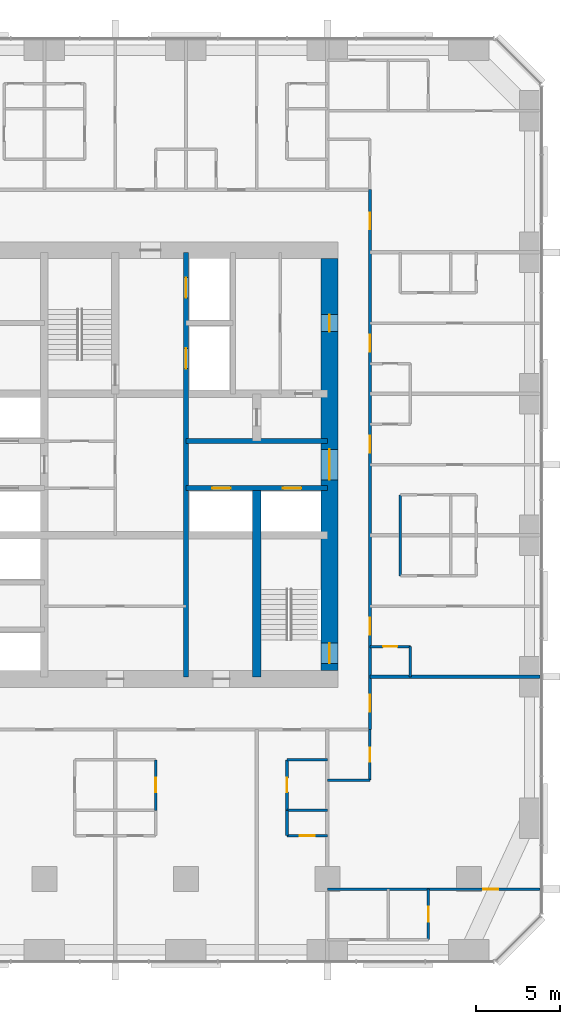
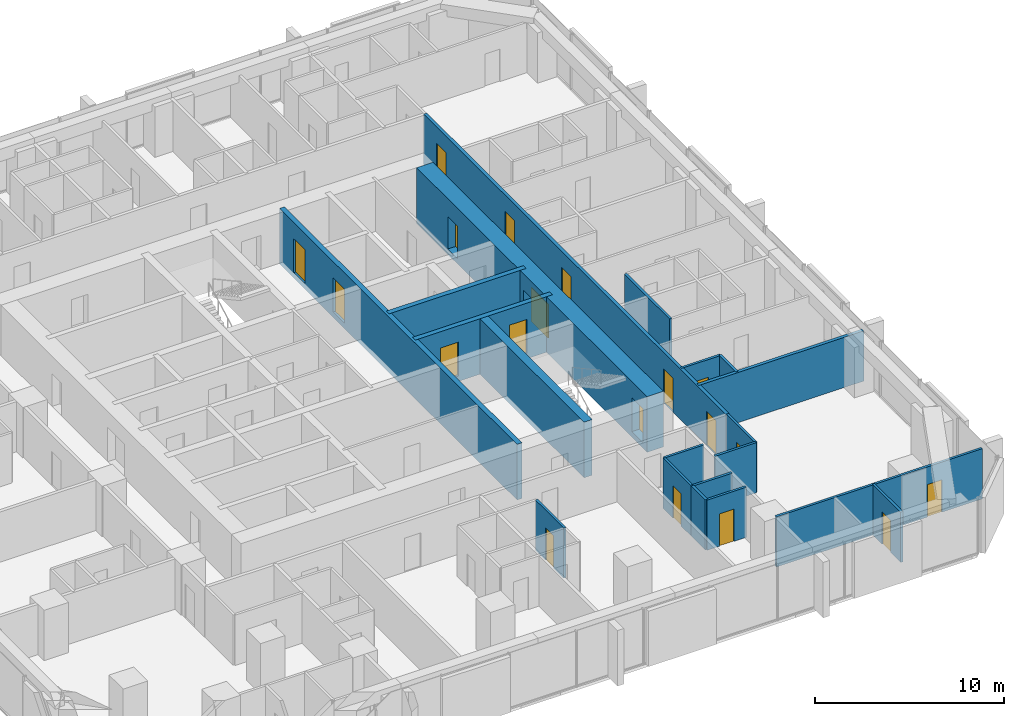
# One storey, part 10 of 14: 20 walls, 19 doors, 19 openings.
"""IFC4 building model written with IfcOpenShell, lengths in metres."""

from ifc_helpers import new_model, si_unit, direction, frame, frame_2d, origin, place, context, subcontext, project, spatial, rectangle, extrude, material, layer, layer_set, type_object, element, fill, save


model = new_model("IFC4")

# Units and contexts
model_context = context("Model", 3, precision=1e-05, world=origin(), true_north=direction((0.0, 1.0)))
body_context = subcontext(model_context, "Body", "Model", "MODEL_VIEW")
ifc_project = project(units=[si_unit("LENGTHUNIT", "METRE"), si_unit("AREAUNIT", "SQUARE_METRE"), si_unit("VOLUMEUNIT", "CUBIC_METRE"), si_unit("PLANEANGLEUNIT", "RADIAN"), si_unit("MASSUNIT", "GRAM", prefix="KILO")], contexts=[model_context])

# Site, building, storey
site_placement = place(None, origin())
site = spatial("IfcSite", under=ifc_project, at=site_placement, CompositionType="ELEMENT")
building_placement = place(site_placement, origin())
building = spatial("IfcBuilding", under=site, at=building_placement, Name="Dunama Terrace Hotel", CompositionType="ELEMENT")
storey_placement = place(building_placement, frame((0.0, 0.0, 126.0)))
storey = spatial("IfcBuildingStorey", under=building, at=storey_placement, Name="L32", CompositionType="ELEMENT", Elevation=126.0)

# Wall, opening, door
ifc_material_1 = material(Name="Gypsum board partition", Category="masonry")
ifc_layer_1 = layer(ifc_material_1, 0.14990234375)
ifc_layer_set_1 = layer_set([ifc_layer_1], Name="Bathroom partition 150")
wall_type_1 = type_object("IfcWallType", Name="Bathroom partition 150", PredefinedType="PARTITIONING", material=ifc_layer_set_1)
wall_1_placement = place(storey_placement, frame((31.800048828125, 8.875, 0.0), z_axis=(0.0, 0.0, 1.0), x_axis=(0.0, 1.0, 0.0)))
wall_1 = element("IfcWall", 1, at=wall_1_placement, inside=storey, type_object=wall_type_1, Name="Bathroom partition 150 L32", PredefinedType="PARTITIONING", context=body_context, shape_type="SweptSolid", body=[
    extrude(rectangle(XDim=3.0, YDim=0.14990234375, at=frame_2d((1.5, 0.0))), origin(), (0.0, 0.0, 1.0), 3.25),
])
opening_1_placement = place(wall_1_placement, frame((1.074951171875, 0.0, 0.0)))
opening_1 = element("IfcOpeningElement", 2, at=opening_1_placement, cuts=wall_1, Name="Opening L31-33-018", PredefinedType="OPENING", context=body_context, shape_type="SweptSolid", body=[
    extrude(rectangle(XDim=0.85009765625, YDim=2.10009765625, at=frame_2d((0.425048828125, 1.050048828125))), frame((0.0, 0.0849609375, 0.0), z_axis=(0.0, -1.0, 0.0), x_axis=(1.0, 0.0, 0.0)), (0.0, 0.0, 1.0), 0.169921875),
])
ifc_material_2 = material(Name="Timber door with steel frame", Category="steel")
door_type_1 = type_object("IfcDoorType", Name="Bathroom door 850", OperationType="SINGLE_SWING_LEFT", PredefinedType="DOOR", material=ifc_material_2)
door_1_placement = place(opening_1_placement, origin())
door_1 = element("IfcDoor", 3, at=door_1_placement, inside=storey, type_object=door_type_1, Name="Door to en-suite bathroom L31-33-018, type D2", OperationType="SINGLE_SWING_LEFT", OverallHeight=2.10009765625, OverallWidth=0.85009765625, PredefinedType="DOOR", context=body_context, shape_type="SweptSolid", body=[
    extrude(rectangle(XDim=0.85009765625, YDim=2.10009765625, at=frame_2d((0.425048828125, 1.050048828125))), frame((0.0, 0.02490234375, 0.0), z_axis=(0.0, -1.0, 0.0), x_axis=(1.0, 0.0, 0.0)), (0.0, 0.0, 1.0), 0.050048828125),
])
fill(opening_1, door_1)

wall_2_placement = place(storey_placement, frame((39.60009765625, 8.875, 0.0), z_axis=(0.0, 0.0, 1.0), x_axis=(0.0, 1.0, 0.0)))
wall_2 = element("IfcWall", 4, at=wall_2_placement, inside=storey, type_object=wall_type_1, Name="Bathroom partition 150 L32", PredefinedType="PARTITIONING", context=body_context, shape_type="SweptSolid", body=[
    extrude(rectangle(XDim=3.0, YDim=0.14990234375, at=frame_2d((1.5, 0.0))), origin(), (0.0, 0.0, 1.0), 3.25),
])
opening_2_placement = place(wall_2_placement, frame((1.074951171875, 0.0, 0.0)))
opening_2 = element("IfcOpeningElement", 5, at=opening_2_placement, cuts=wall_2, Name="Opening L31-33-021", PredefinedType="OPENING", context=body_context, shape_type="SweptSolid", body=[
    extrude(rectangle(XDim=0.85009765625, YDim=2.10009765625, at=frame_2d((0.425048828125, 1.050048828125))), frame((0.0, 0.0849609375, 0.0), z_axis=(0.0, -1.0, 0.0), x_axis=(1.0, 0.0, 0.0)), (0.0, 0.0, 1.0), 0.169921875),
])
door_2_placement = place(opening_2_placement, frame((0.85009765625, 0.0, 0.0), z_axis=(0.0, 0.0, 1.0), x_axis=(-1.0, 0.0, 0.0)))
door_2 = element("IfcDoor", 6, at=door_2_placement, inside=storey, type_object=door_type_1, Name="Door to en-suite bathroom L31-33-021, type D2", OperationType="SINGLE_SWING_RIGHT", OverallHeight=2.10009765625, OverallWidth=0.85009765625, PredefinedType="DOOR", context=body_context, shape_type="SweptSolid", body=[
    extrude(rectangle(XDim=0.85009765625, YDim=2.10009765625, at=frame_2d((0.425048828125, 1.050048828125))), frame((0.0, 0.025146484375, 0.0), z_axis=(0.0, -1.0, 0.0), x_axis=(1.0, 0.0, 0.0)), (0.0, 0.0, 1.0), 0.050048828125),
])
fill(opening_2, door_2)

wall_3_placement = place(storey_placement, frame((44.52490234375, 10.675048828125, 0.0), z_axis=(0.0, 0.0, 1.0), x_axis=(0.0, 1.0, 0.0)))
wall_3 = element("IfcWall", 7, at=wall_3_placement, inside=storey, type_object=wall_type_1, Name="Bathroom partition 150 L32", PredefinedType="PARTITIONING", context=body_context, shape_type="SweptSolid", body=[
    extrude(rectangle(XDim=3.0, YDim=0.14990234375, at=frame_2d((1.5, 0.0))), origin(), (0.0, 0.0, 1.0), 3.25),
])
opening_3_placement = place(wall_3_placement, frame((1.074951171875, 0.0, 0.0)))
opening_3 = element("IfcOpeningElement", 8, at=opening_3_placement, cuts=wall_3, Name="Opening L31-33-068", PredefinedType="OPENING", context=body_context, shape_type="SweptSolid", body=[
    extrude(rectangle(XDim=0.85009765625, YDim=2.10009765625, at=frame_2d((0.425048828125, 1.050048828125))), frame((0.0, 0.0849609375, 0.0), z_axis=(0.0, -1.0, 0.0), x_axis=(1.0, 0.0, 0.0)), (0.0, 0.0, 1.0), 0.169921875),
])
door_3_placement = place(opening_3_placement, origin())
door_3 = element("IfcDoor", 9, at=door_3_placement, inside=storey, type_object=door_type_1, Name="Door to powder room L31-33-068, type D2", OperationType="SINGLE_SWING_RIGHT", OverallHeight=2.10009765625, OverallWidth=0.85009765625, PredefinedType="DOOR", context=body_context, shape_type="SweptSolid", body=[
    extrude(rectangle(XDim=0.85009765625, YDim=2.10009765625, at=frame_2d((0.425048828125, 1.050048828125))), frame((0.0, 0.02490234375, 0.0), z_axis=(0.0, -1.0, 0.0), x_axis=(1.0, 0.0, 0.0)), (0.0, 0.0, 1.0), 0.050048828125),
])
fill(opening_3, door_3)

# Walls
wall_4_placement = place(storey_placement, frame((46.324951171875, 22.800048828125, 0.0), z_axis=(0.0, 0.0, 1.0), x_axis=(0.0, 1.0, 0.0)))
element("IfcWall", 10, at=wall_4_placement, inside=storey, type_object=wall_type_1, Name="Bathroom partition 150 L32", PredefinedType="PARTITIONING", context=body_context, shape_type="SweptSolid", body=[
    extrude(rectangle(XDim=4.800048828125, YDim=0.14990234375, at=frame_2d((2.39990234375, 0.0))), origin(), (0.0, 0.0, 1.0), 3.25),
])
wall_5_placement = place(storey_placement, frame((46.925048828125, 16.800048828125, 0.0), z_axis=(0.0, 0.0, 1.0), x_axis=(0.0, 1.0, 0.0)))
element("IfcWall", 11, at=wall_5_placement, inside=storey, type_object=wall_type_1, Name="Bathroom partition 150 L32", PredefinedType="PARTITIONING", context=body_context, shape_type="SweptSolid", body=[
    extrude(rectangle(XDim=1.800048828125, YDim=0.14990234375, at=frame_2d((0.89990234375, 0.0))), origin(), (0.0, 0.0, 1.0), 3.25),
])
wall_6_placement = place(storey_placement, frame((42.0, 10.675048828125, 0.0), z_axis=(0.0, 0.0, 1.0), x_axis=(1.0, 0.0, 0.0)))
element("IfcWall", 12, at=wall_6_placement, inside=storey, type_object=wall_type_1, Name="Bathroom partition 150 L32", PredefinedType="PARTITIONING", context=body_context, shape_type="SweptSolid", body=[
    extrude(rectangle(XDim=2.52490234375, YDim=0.14990234375, at=frame_2d((1.262451171875, 0.0))), origin(), (0.0, 0.0, 1.0), 3.25),
])
wall_7_placement = place(storey_placement, frame((39.60009765625, 11.875, 0.0), z_axis=(0.0, 0.0, 1.0), x_axis=(1.0, 0.0, 0.0)))
element("IfcWall", 13, at=wall_7_placement, inside=storey, type_object=wall_type_1, Name="Bathroom partition 150 L32", PredefinedType="PARTITIONING", context=body_context, shape_type="SweptSolid", body=[
    extrude(rectangle(XDim=2.39990234375, YDim=0.14990234375, at=frame_2d((1.199951171875, 0.0))), origin(), (0.0, 0.0, 1.0), 3.25),
])

# Wall, opening, door
wall_8_placement = place(storey_placement, frame((44.52490234375, 18.60009765625, 0.0), z_axis=(0.0, 0.0, 1.0), x_axis=(1.0, 0.0, 0.0)))
wall_8 = element("IfcWall", 14, at=wall_8_placement, inside=storey, type_object=wall_type_1, Name="Bathroom partition 150 L32", PredefinedType="PARTITIONING", context=body_context, shape_type="SweptSolid", body=[
    extrude(rectangle(XDim=2.400146484375, YDim=0.14990234375, at=frame_2d((1.2001953125, 0.0))), origin(), (0.0, 0.0, 1.0), 3.25),
])
opening_4_placement = place(wall_8_placement, frame((0.77490234375, 0.0, 0.0)))
opening_4 = element("IfcOpeningElement", 15, at=opening_4_placement, cuts=wall_8, Name="Opening L31-33-024", PredefinedType="OPENING", context=body_context, shape_type="SweptSolid", body=[
    extrude(rectangle(XDim=0.85009765625, YDim=2.10009765625, at=frame_2d((0.425048828125, 1.050048828125))), frame((0.0, 0.0849609375, 0.0), z_axis=(0.0, -1.0, 0.0), x_axis=(1.0, 0.0, 0.0)), (0.0, 0.0, 1.0), 0.169921875),
])
door_4_placement = place(opening_4_placement, frame((0.85009765625, 0.0, 0.0), z_axis=(0.0, 0.0, 1.0), x_axis=(-1.0, 0.0, 0.0)))
door_4 = element("IfcDoor", 16, at=door_4_placement, inside=storey, type_object=door_type_1, Name="Door to powder room L31-33-024, type D2", OperationType="SINGLE_SWING_RIGHT", OverallHeight=2.10009765625, OverallWidth=0.85009765625, PredefinedType="DOOR", context=body_context, shape_type="SweptSolid", body=[
    extrude(rectangle(XDim=0.85009765625, YDim=2.10009765625, at=frame_2d((0.425048828125, 1.050048828125))), frame((0.0, 0.025146484375, 0.0), z_axis=(0.0, -1.0, 0.0), x_axis=(1.0, 0.0, 0.0)), (0.0, 0.0, 1.0), 0.050048828125),
])
fill(opening_4, door_4)

# Wall, openings, doors
ifc_material_3 = material(Name="Concrete C50/60", Category="concrete")
ifc_layer_2 = layer(ifc_material_3, 0.300048828125)
ifc_layer_set_2 = layer_set([ifc_layer_2], Name="Core inner wall 300")
wall_type_2 = type_object("IfcWallType", Name="Core inner wall 300", PredefinedType="SHEAR", material=ifc_layer_set_2)
wall_9_placement = place(storey_placement, frame((33.60009765625, 16.800048828125, -0.35009765625), z_axis=(0.0, 0.0, 1.0), x_axis=(0.0, 1.0, 0.0)))
wall_9 = element("IfcWall", 17, at=wall_9_placement, inside=storey, type_object=wall_type_2, Name="Core inner wall 300 L32", PredefinedType="SHEAR", context=body_context, shape_type="SweptSolid", body=[
    extrude(rectangle(XDim=25.199951171875, YDim=0.300048828125, at=frame_2d((12.60009765625, 0.0))), origin(), (0.0, 0.0, 1.0), 3.60009765625),
])
opening_5_placement = place(wall_9_placement, frame((22.5, 0.0, 0.35009765625)))
opening_5 = element("IfcOpeningElement", 18, at=opening_5_placement, cuts=wall_9, Name="Opening L31-33-009", PredefinedType="OPENING", context=body_context, shape_type="SweptSolid", body=[
    extrude(rectangle(XDim=1.199951171875, YDim=2.199951171875, at=frame_2d((0.60009765625, 1.10009765625))), frame((0.0, 0.159912109375, 0.0), z_axis=(0.0, -1.0, 0.0), x_axis=(1.0, 0.0, 0.0)), (0.0, 0.0, 1.0), 0.320068359375),
])
opening_6_placement = place(wall_9_placement, frame((18.300048828125, 0.0, 0.35009765625)))
opening_6 = element("IfcOpeningElement", 19, at=opening_6_placement, cuts=wall_9, Name="Opening L31-33-010", PredefinedType="OPENING", context=body_context, shape_type="SweptSolid", body=[
    extrude(rectangle(XDim=1.199951171875, YDim=2.199951171875, at=frame_2d((0.60009765625, 1.10009765625))), frame((0.0, 0.159912109375, 0.0), z_axis=(0.0, -1.0, 0.0), x_axis=(1.0, 0.0, 0.0)), (0.0, 0.0, 1.0), 0.320068359375),
])
ifc_material_4 = material(Name="Stainless steel lift door", Category="steel")
door_type_2 = type_object("IfcDoorType", Name="Firefighting lift landing door 1200", OperationType="DOUBLE_DOOR_SLIDING", PredefinedType="DOOR", material=ifc_material_4)
door_5_placement = place(opening_5_placement, origin())
door_5 = element("IfcDoor", 20, at=door_5_placement, inside=storey, type_object=door_type_2, Name="Landing door FL1 L31-33-009, type LD2", OperationType="DOUBLE_DOOR_SLIDING", OverallHeight=2.199951171875, OverallWidth=1.199951171875, PredefinedType="DOOR", context=body_context, shape_type="SweptSolid", body=[
    extrude(rectangle(XDim=1.199951171875, YDim=2.199951171875, at=frame_2d((0.60009765625, 1.10009765625))), frame((0.0, 0.02490234375, 0.0), z_axis=(0.0, -1.0, 0.0), x_axis=(1.0, 0.0, 0.0)), (0.0, 0.0, 1.0), 0.050048828125),
])
fill(opening_5, door_5)
door_6_placement = place(opening_6_placement, origin())
door_6 = element("IfcDoor", 21, at=door_6_placement, inside=storey, type_object=door_type_2, Name="Landing door FL2 L31-33-010, type LD2", OperationType="DOUBLE_DOOR_SLIDING", OverallHeight=2.199951171875, OverallWidth=1.199951171875, PredefinedType="DOOR", context=body_context, shape_type="SweptSolid", body=[
    extrude(rectangle(XDim=1.199951171875, YDim=2.199951171875, at=frame_2d((0.60009765625, 1.10009765625))), frame((0.0, 0.02490234375, 0.0), z_axis=(0.0, -1.0, 0.0), x_axis=(1.0, 0.0, 0.0)), (0.0, 0.0, 1.0), 0.050048828125),
])
fill(opening_6, door_6)

wall_10_placement = place(storey_placement, frame((33.60009765625, 28.0, -0.35009765625), z_axis=(0.0, 0.0, 1.0), x_axis=(1.0, 0.0, 0.0)))
wall_10 = element("IfcWall", 22, at=wall_10_placement, inside=storey, type_object=wall_type_2, Name="Core inner wall 300 L32", PredefinedType="SHEAR", context=body_context, shape_type="SweptSolid", body=[
    extrude(rectangle(XDim=8.39990234375, YDim=0.300048828125, at=frame_2d((4.199951171875, 0.0))), origin(), (0.0, 0.0, 1.0), 3.60009765625),
])
opening_7_placement = place(wall_10_placement, frame((1.550048828125, 0.0, 0.35009765625)))
opening_7 = element("IfcOpeningElement", 23, at=opening_7_placement, cuts=wall_10, Name="Opening L31-33-003", PredefinedType="OPENING", context=body_context, shape_type="SweptSolid", body=[
    extrude(rectangle(XDim=1.10009765625, YDim=2.199951171875, at=frame_2d((0.550048828125, 1.10009765625))), frame((0.0, 0.159912109375, 0.0), z_axis=(0.0, -1.0, 0.0), x_axis=(1.0, 0.0, 0.0)), (0.0, 0.0, 1.0), 0.320068359375),
])
opening_8_placement = place(wall_10_placement, frame((5.75, 0.0, 0.35009765625)))
opening_8 = element("IfcOpeningElement", 24, at=opening_8_placement, cuts=wall_10, Name="Opening L31-33-004", PredefinedType="OPENING", context=body_context, shape_type="SweptSolid", body=[
    extrude(rectangle(XDim=1.10009765625, YDim=2.199951171875, at=frame_2d((0.550048828125, 1.10009765625))), frame((0.0, 0.159912109375, 0.0), z_axis=(0.0, -1.0, 0.0), x_axis=(1.0, 0.0, 0.0)), (0.0, 0.0, 1.0), 0.320068359375),
])
ifc_material_5 = material(Name="Stainless steel lift door", Category="steel")
door_type_3 = type_object("IfcDoorType", Name="Lift landing door 1100", OperationType="DOUBLE_DOOR_SLIDING", PredefinedType="DOOR", material=ifc_material_5)
door_7_placement = place(opening_7_placement, origin())
door_7 = element("IfcDoor", 25, at=door_7_placement, inside=storey, type_object=door_type_3, Name="Landing door PB1 L31-33-003, type LD1", OperationType="DOUBLE_DOOR_SLIDING", OverallHeight=2.199951171875, OverallWidth=1.10009765625, PredefinedType="DOOR", context=body_context, shape_type="SweptSolid", body=[
    extrude(rectangle(XDim=1.10009765625, YDim=2.199951171875, at=frame_2d((0.550048828125, 1.10009765625))), frame((0.0, 0.02490234375, 0.0), z_axis=(0.0, -1.0, 0.0), x_axis=(1.0, 0.0, 0.0)), (0.0, 0.0, 1.0), 0.050048828125),
])
fill(opening_7, door_7)
door_8_placement = place(opening_8_placement, origin())
door_8 = element("IfcDoor", 26, at=door_8_placement, inside=storey, type_object=door_type_3, Name="Landing door PB2 L31-33-004, type LD1", OperationType="DOUBLE_DOOR_SLIDING", OverallHeight=2.199951171875, OverallWidth=1.10009765625, PredefinedType="DOOR", context=body_context, shape_type="SweptSolid", body=[
    extrude(rectangle(XDim=1.10009765625, YDim=2.199951171875, at=frame_2d((0.550048828125, 1.10009765625))), frame((0.0, 0.02490234375, 0.0), z_axis=(0.0, -1.0, 0.0), x_axis=(1.0, 0.0, 0.0)), (0.0, 0.0, 1.0), 0.050048828125),
])
fill(opening_8, door_8)

# Walls
wall_11_placement = place(storey_placement, frame((33.60009765625, 30.800048828125, -0.35009765625), z_axis=(0.0, 0.0, 1.0), x_axis=(1.0, 0.0, 0.0)))
element("IfcWall", 27, at=wall_11_placement, inside=storey, type_object=wall_type_2, Name="Core inner wall 300 L32", PredefinedType="SHEAR", context=body_context, shape_type="SweptSolid", body=[
    extrude(rectangle(XDim=8.39990234375, YDim=0.300048828125, at=frame_2d((4.199951171875, 0.0))), origin(), (0.0, 0.0, 1.0), 3.60009765625),
])
ifc_material_6 = material(Name="Concrete C50/60", Category="concrete")
ifc_layer_3 = layer(ifc_material_6, 0.5)
ifc_layer_set_3 = layer_set([ifc_layer_3], Name="Core inner wall 500")
wall_type_3 = type_object("IfcWallType", Name="Core inner wall 500", PredefinedType="SHEAR", material=ifc_layer_set_3)
wall_12_placement = place(storey_placement, frame((37.800048828125, 16.800048828125, -0.35009765625), z_axis=(0.0, 0.0, 1.0), x_axis=(0.0, 1.0, 0.0)))
element("IfcWall", 28, at=wall_12_placement, inside=storey, type_object=wall_type_3, Name="Core inner wall 500 L32", PredefinedType="SHEAR", context=body_context, shape_type="SweptSolid", body=[
    extrude(rectangle(XDim=11.199951171875, YDim=0.5, at=frame_2d((5.60009765625, 0.0))), origin(), (0.0, 0.0, 1.0), 3.60009765625),
])

# Wall, openings, doors
ifc_material_7 = material(Name="Concrete C60/75", Category="concrete")
ifc_layer_4 = layer(ifc_material_7, 1.0)
ifc_layer_set_4 = layer_set([ifc_layer_4], Name="Core wall 1000")
wall_type_4 = type_object("IfcWallType", Name="Core wall 1000", PredefinedType="SHEAR", material=ifc_layer_set_4)
wall_13_placement = place(storey_placement, frame((42.125, 17.175048828125, -0.35009765625), z_axis=(0.0, 0.0, 1.0), x_axis=(0.0, 1.0, 0.0)))
wall_13 = element("IfcWall", 29, at=wall_13_placement, inside=storey, type_object=wall_type_4, Name="Core wall east L32", PredefinedType="SHEAR", context=body_context, shape_type="SweptSolid", body=[
    extrude(rectangle(XDim=24.449951171875, YDim=1.0, at=frame_2d((12.22509765625, 0.0))), origin(), (0.0, 0.0, 1.0), 3.60009765625),
])
opening_9_placement = place(wall_13_placement, frame((0.425048828125, 0.0, 0.35009765625)))
opening_9 = element("IfcOpeningElement", 30, at=opening_9_placement, cuts=wall_13, Name="Opening L31-33-002", PredefinedType="OPENING", context=body_context, shape_type="SweptSolid", body=[
    extrude(rectangle(XDim=1.199951171875, YDim=2.199951171875, at=frame_2d((0.60009765625, 1.10009765625))), frame((0.0, 0.510009765625, 0.0), z_axis=(0.0, -1.0, 0.0), x_axis=(1.0, 0.0, 0.0)), (0.0, 0.0, 1.0), 1.02001953125),
])
opening_10_placement = place(wall_13_placement, frame((11.324951171875, 0.0, 0.35009765625)))
opening_10 = element("IfcOpeningElement", 31, at=opening_10_placement, cuts=wall_13, Name="Opening L31-33-092", PredefinedType="OPENING", context=body_context, shape_type="SweptSolid", body=[
    extrude(rectangle(XDim=1.800048828125, YDim=2.199951171875, at=frame_2d((0.89990234375, 1.10009765625))), frame((0.0, 0.510009765625, 0.0), z_axis=(0.0, -1.0, 0.0), x_axis=(1.0, 0.0, 0.0)), (0.0, 0.0, 1.0), 1.02001953125),
])
opening_11_placement = place(wall_13_placement, frame((20.125, 0.0, 0.35009765625)))
opening_11 = element("IfcOpeningElement", 32, at=opening_11_placement, cuts=wall_13, Name="Opening L31-33-094", PredefinedType="OPENING", context=body_context, shape_type="SweptSolid", body=[
    extrude(rectangle(XDim=1.0, YDim=2.10009765625, at=frame_2d((0.5, 1.050048828125))), frame((0.0, 0.510009765625, 0.0), z_axis=(0.0, -1.0, 0.0), x_axis=(1.0, 0.0, 0.0)), (0.0, 0.0, 1.0), 1.02001953125),
])
ifc_material_8 = material(Name="Timber door with steel frame", Category="steel")
door_type_4 = type_object("IfcDoorType", Name="Lift lobby double door 1800", OperationType="DOUBLE_DOOR_DOUBLE_SWING", PredefinedType="DOOR", material=ifc_material_8)
door_9_placement = place(opening_10_placement, origin())
door_9 = element("IfcDoor", 33, at=door_9_placement, inside=storey, type_object=door_type_4, Name="Door to lift lobby L31-33-092, type D3", OperationType="DOUBLE_DOOR_DOUBLE_SWING", OverallHeight=2.199951171875, OverallWidth=1.800048828125, PredefinedType="DOOR", context=body_context, shape_type="SweptSolid", body=[
    extrude(rectangle(XDim=1.800048828125, YDim=2.199951171875, at=frame_2d((0.89990234375, 1.10009765625))), frame((0.0, 0.02490234375, 0.0), z_axis=(0.0, -1.0, 0.0), x_axis=(1.0, 0.0, 0.0)), (0.0, 0.0, 1.0), 0.050048828125),
])
fill(opening_10, door_9)
ifc_material_9 = material(Name="Timber door with steel frame", Category="steel")
door_type_5 = type_object("IfcDoorType", Name="Service door 1000", OperationType="SINGLE_SWING_LEFT", PredefinedType="DOOR", material=ifc_material_9)
door_10_placement = place(opening_11_placement, origin())
door_10 = element("IfcDoor", 34, at=door_10_placement, inside=storey, type_object=door_type_5, Name="Door to linen store L31-33-094, type D7", OperationType="SINGLE_SWING_LEFT", OverallHeight=2.10009765625, OverallWidth=1.0, PredefinedType="DOOR", context=body_context, shape_type="SweptSolid", body=[
    extrude(rectangle(XDim=1.0, YDim=2.10009765625, at=frame_2d((0.5, 1.050048828125))), frame((0.0, 0.02490234375, 0.0), z_axis=(0.0, -1.0, 0.0), x_axis=(1.0, 0.0, 0.0)), (0.0, 0.0, 1.0), 0.050048828125),
])
fill(opening_11, door_10)
ifc_material_10 = material(Name="Timber door with steel frame", Category="steel")
door_type_6 = type_object("IfcDoorType", Name="Stair door 1200", OperationType="SINGLE_SWING_LEFT", PredefinedType="DOOR", material=ifc_material_10)
door_11_placement = place(opening_9_placement, origin())
door_11 = element("IfcDoor", 35, at=door_11_placement, inside=storey, type_object=door_type_6, Name="Stair door ST2 L31-33-002, type D5", OperationType="SINGLE_SWING_LEFT", OverallHeight=2.199951171875, OverallWidth=1.199951171875, PredefinedType="DOOR", context=body_context, shape_type="SweptSolid", body=[
    extrude(rectangle(XDim=1.199951171875, YDim=2.199951171875, at=frame_2d((0.60009765625, 1.10009765625))), frame((0.0, 0.02490234375, 0.0), z_axis=(0.0, -1.0, 0.0), x_axis=(1.0, 0.0, 0.0)), (0.0, 0.0, 1.0), 0.050048828125),
])
fill(opening_9, door_11)

ifc_material_11 = material(Name="Concrete blockwork", Category="masonry")
ifc_layer_5 = layer(ifc_material_11, 0.199951171875)
ifc_layer_set_5 = layer_set([ifc_layer_5], Name="Corridor partition 200")
wall_type_5 = type_object("IfcWallType", Name="Corridor partition 200", PredefinedType="PARTITIONING", material=ifc_layer_set_5)
wall_14_placement = place(storey_placement, frame((44.52490234375, 45.72509765625, 0.0), z_axis=(0.0, 0.0, 1.0), x_axis=(0.0, -1.0, 0.0)))
wall_14 = element("IfcWall", 36, at=wall_14_placement, inside=storey, type_object=wall_type_5, Name="Corridor partition 200 L32", PredefinedType="PARTITIONING", context=body_context, shape_type="SweptSolid", body=[
    extrude(rectangle(XDim=32.050048828125, YDim=0.199951171875, at=frame_2d((16.02490234375, 0.0))), origin(), (0.0, 0.0, 1.0), 3.25),
])
opening_12_placement = place(wall_14_placement, frame((25.425048828125, 0.0, 0.0)))
opening_12 = element("IfcOpeningElement", 37, at=opening_12_placement, cuts=wall_14, Name="Opening L31-33-023", PredefinedType="OPENING", context=body_context, shape_type="SweptSolid", body=[
    extrude(rectangle(XDim=1.0, YDim=2.199951171875, at=frame_2d((0.5, 1.10009765625))), frame((0.0, 0.10986328125, 0.0), z_axis=(0.0, -1.0, 0.0), x_axis=(1.0, 0.0, 0.0)), (0.0, 0.0, 1.0), 0.219970703125),
])
opening_13_placement = place(wall_14_placement, frame((14.625, 0.0, 0.0)))
opening_13 = element("IfcOpeningElement", 38, at=opening_13_placement, cuts=wall_14, Name="Opening L31-33-028", PredefinedType="OPENING", context=body_context, shape_type="SweptSolid", body=[
    extrude(rectangle(XDim=1.0, YDim=2.199951171875, at=frame_2d((0.5, 1.10009765625))), frame((0.0, 0.10986328125, 0.0), z_axis=(0.0, -1.0, 0.0), x_axis=(1.0, 0.0, 0.0)), (0.0, 0.0, 1.0), 0.219970703125),
])
opening_14_placement = place(wall_14_placement, frame((8.625, 0.0, 0.0)))
opening_14 = element("IfcOpeningElement", 39, at=opening_14_placement, cuts=wall_14, Name="Opening L31-33-033", PredefinedType="OPENING", context=body_context, shape_type="SweptSolid", body=[
    extrude(rectangle(XDim=1.0, YDim=2.199951171875, at=frame_2d((0.5, 1.10009765625))), frame((0.0, 0.10986328125, 0.0), z_axis=(0.0, -1.0, 0.0), x_axis=(1.0, 0.0, 0.0)), (0.0, 0.0, 1.0), 0.219970703125),
])
opening_15_placement = place(wall_14_placement, frame((29.987060546875, 0.0, 0.0)))
opening_15 = element("IfcOpeningElement", 40, at=opening_15_placement, cuts=wall_14, Name="Opening L31-33-067", PredefinedType="OPENING", context=body_context, shape_type="SweptSolid", body=[
    extrude(rectangle(XDim=1.0, YDim=2.199951171875, at=frame_2d((0.5, 1.10009765625))), frame((0.0, 0.10986328125, 0.0), z_axis=(0.0, -1.0, 0.0), x_axis=(1.0, 0.0, 0.0)), (0.0, 0.0, 1.0), 0.219970703125),
])
opening_16_placement = place(wall_14_placement, frame((1.363037109375, 0.0, 0.0)))
opening_16 = element("IfcOpeningElement", 41, at=opening_16_placement, cuts=wall_14, Name="Opening L31-33-072", PredefinedType="OPENING", context=body_context, shape_type="SweptSolid", body=[
    extrude(rectangle(XDim=1.0, YDim=2.199951171875, at=frame_2d((0.5, 1.10009765625))), frame((0.0, 0.10986328125, 0.0), z_axis=(0.0, -1.0, 0.0), x_axis=(1.0, 0.0, 0.0)), (0.0, 0.0, 1.0), 0.219970703125),
])
ifc_material_12 = material(Name="Timber door with steel frame", Category="steel")
door_type_7 = type_object("IfcDoorType", Name="Guest room door 1000", OperationType="SINGLE_SWING_LEFT", PredefinedType="DOOR", material=ifc_material_12)
door_12_placement = place(opening_12_placement, origin())
door_12 = element("IfcDoor", 42, at=door_12_placement, inside=storey, type_object=door_type_7, Name="Door to executive suite living room L31-33-023, type D1", OperationType="SINGLE_SWING_LEFT", OverallHeight=2.199951171875, OverallWidth=1.0, PredefinedType="DOOR", context=body_context, shape_type="SweptSolid", body=[
    extrude(rectangle(XDim=1.0, YDim=2.199951171875, at=frame_2d((0.5, 1.10009765625))), frame((0.0, 0.02490234375, 0.0), z_axis=(0.0, -1.0, 0.0), x_axis=(1.0, 0.0, 0.0)), (0.0, 0.0, 1.0), 0.050048828125),
])
fill(opening_12, door_12)
door_13_placement = place(opening_13_placement, origin())
door_13 = element("IfcDoor", 43, at=door_13_placement, inside=storey, type_object=door_type_7, Name="Door to executive suite living room L31-33-028, type D1", OperationType="SINGLE_SWING_LEFT", OverallHeight=2.199951171875, OverallWidth=1.0, PredefinedType="DOOR", context=body_context, shape_type="SweptSolid", body=[
    extrude(rectangle(XDim=1.0, YDim=2.199951171875, at=frame_2d((0.5, 1.10009765625))), frame((0.0, 0.02490234375, 0.0), z_axis=(0.0, -1.0, 0.0), x_axis=(1.0, 0.0, 0.0)), (0.0, 0.0, 1.0), 0.050048828125),
])
fill(opening_13, door_13)
door_14_placement = place(opening_14_placement, origin())
door_14 = element("IfcDoor", 44, at=door_14_placement, inside=storey, type_object=door_type_7, Name="Door to executive suite living room L31-33-033, type D1", OperationType="SINGLE_SWING_LEFT", OverallHeight=2.199951171875, OverallWidth=1.0, PredefinedType="DOOR", context=body_context, shape_type="SweptSolid", body=[
    extrude(rectangle(XDim=1.0, YDim=2.199951171875, at=frame_2d((0.5, 1.10009765625))), frame((0.0, 0.02490234375, 0.0), z_axis=(0.0, -1.0, 0.0), x_axis=(1.0, 0.0, 0.0)), (0.0, 0.0, 1.0), 0.050048828125),
])
fill(opening_14, door_14)
door_15_placement = place(opening_15_placement, origin())
door_15 = element("IfcDoor", 45, at=door_15_placement, inside=storey, type_object=door_type_7, Name="Door to corner suite living room L31-33-067, type D1", OperationType="SINGLE_SWING_LEFT", OverallHeight=2.199951171875, OverallWidth=1.0, PredefinedType="DOOR", context=body_context, shape_type="SweptSolid", body=[
    extrude(rectangle(XDim=1.0, YDim=2.199951171875, at=frame_2d((0.5, 1.10009765625))), frame((0.0, 0.02490234375, 0.0), z_axis=(0.0, -1.0, 0.0), x_axis=(1.0, 0.0, 0.0)), (0.0, 0.0, 1.0), 0.050048828125),
])
fill(opening_15, door_15)
door_16_placement = place(opening_16_placement, origin())
door_16 = element("IfcDoor", 46, at=door_16_placement, inside=storey, type_object=door_type_7, Name="Door to corner suite living room L31-33-072, type D1", OperationType="SINGLE_SWING_RIGHT", OverallHeight=2.199951171875, OverallWidth=1.0, PredefinedType="DOOR", context=body_context, shape_type="SweptSolid", body=[
    extrude(rectangle(XDim=1.0, YDim=2.199951171875, at=frame_2d((0.5, 1.10009765625))), frame((0.0, 0.02490234375, 0.0), z_axis=(0.0, -1.0, 0.0), x_axis=(1.0, 0.0, 0.0)), (0.0, 0.0, 1.0), 0.050048828125),
])
fill(opening_16, door_16)

# Walls
ifc_material_13 = material(Name="Concrete blockwork", Category="masonry")
ifc_layer_6 = layer(ifc_material_13, 0.199951171875)
ifc_layer_set_6 = layer_set([ifc_layer_6], Name="Party wall 200")
wall_type_6 = type_object("IfcWallType", Name="Party wall 200", PredefinedType="PARTITIONING", material=ifc_layer_set_6)
wall_15_placement = place(storey_placement, frame((44.52490234375, 16.800048828125, 0.0), z_axis=(0.0, 0.0, 1.0), x_axis=(1.0, 0.0, 0.0)))
element("IfcWall", 47, at=wall_15_placement, inside=storey, type_object=wall_type_6, Name="Party wall 200 L32", PredefinedType="PARTITIONING", context=body_context, shape_type="SweptSolid", body=[
    extrude(rectangle(XDim=10.093017578125, YDim=0.199951171875, at=frame_2d((5.04638671875, 0.0))), origin(), (0.0, 0.0, 1.0), 3.25),
])
ifc_material_14 = material(Name="Gypsum board partition", Category="masonry")
ifc_layer_7 = layer(ifc_material_14, 0.14990234375)
ifc_layer_set_7 = layer_set([ifc_layer_7], Name="Room partition 150")
wall_type_7 = type_object("IfcWallType", Name="Room partition 150", PredefinedType="PARTITIONING", material=ifc_layer_set_7)
wall_16_placement = place(storey_placement, frame((39.60009765625, 7.375, 0.0), z_axis=(0.0, 0.0, 1.0), x_axis=(0.0, 1.0, 0.0)))
element("IfcWall", 48, at=wall_16_placement, inside=storey, type_object=wall_type_7, Name="Room partition 150 L32", PredefinedType="PARTITIONING", context=body_context, shape_type="SweptSolid", body=[
    extrude(rectangle(XDim=1.5, YDim=0.14990234375, at=frame_2d((0.75, 0.0))), origin(), (0.0, 0.0, 1.0), 3.25),
])

# Wall, opening, door
wall_17_placement = place(storey_placement, frame((48.0, 1.199951171875, 0.0), z_axis=(0.0, 0.0, 1.0), x_axis=(0.0, 1.0, 0.0)))
wall_17 = element("IfcWall", 49, at=wall_17_placement, inside=storey, type_object=wall_type_7, Name="Room partition 150 L32", PredefinedType="PARTITIONING", context=body_context, shape_type="SweptSolid", body=[
    extrude(rectangle(XDim=3.0, YDim=0.14990234375, at=frame_2d((1.5, 0.0))), origin(), (0.0, 0.0, 1.0), 3.25),
])
opening_17_placement = place(wall_17_placement, frame((1.050048828125, 0.0, 0.0)))
opening_17 = element("IfcOpeningElement", 50, at=opening_17_placement, cuts=wall_17, Name="Opening L31-33-071", PredefinedType="OPENING", context=body_context, shape_type="SweptSolid", body=[
    extrude(rectangle(XDim=0.89990234375, YDim=2.10009765625, at=frame_2d((0.449951171875, 1.050048828125))), frame((0.0, 0.0849609375, 0.0), z_axis=(0.0, -1.0, 0.0), x_axis=(1.0, 0.0, 0.0)), (0.0, 0.0, 1.0), 0.169921875),
])
ifc_material_15 = material(Name="Timber door with steel frame", Category="steel")
door_type_8 = type_object("IfcDoorType", Name="Suite internal door 900", OperationType="SINGLE_SWING_LEFT", PredefinedType="DOOR", material=ifc_material_15)
door_17_placement = place(opening_17_placement, origin())
door_17 = element("IfcDoor", 51, at=door_17_placement, inside=storey, type_object=door_type_8, Name="Door to dressing room L31-33-071, type D16", OperationType="SINGLE_SWING_LEFT", OverallHeight=2.10009765625, OverallWidth=0.89990234375, PredefinedType="DOOR", context=body_context, shape_type="SweptSolid", body=[
    extrude(rectangle(XDim=0.89990234375, YDim=2.10009765625, at=frame_2d((0.449951171875, 1.050048828125))), frame((0.0, 0.02490234375, 0.0), z_axis=(0.0, -1.0, 0.0), x_axis=(1.0, 0.0, 0.0)), (0.0, 0.0, 1.0), 0.050048828125),
])
fill(opening_17, door_17)

wall_18_placement = place(storey_placement, frame((42.0, 4.199951171875, 0.0), z_axis=(0.0, 0.0, 1.0), x_axis=(1.0, 0.0, 0.0)))
wall_18 = element("IfcWall", 52, at=wall_18_placement, inside=storey, type_object=wall_type_7, Name="Room partition 150 L32", PredefinedType="PARTITIONING", context=body_context, shape_type="SweptSolid", body=[
    extrude(rectangle(XDim=12.617919921875, YDim=0.14990234375, at=frame_2d((6.30908203125, 0.0))), origin(), (0.0, 0.0, 1.0), 3.25),
])
opening_18_placement = place(wall_18_placement, frame((9.25, 0.0, 0.0)))
opening_18 = element("IfcOpeningElement", 53, at=opening_18_placement, cuts=wall_18, Name="Opening L31-33-069", PredefinedType="OPENING", context=body_context, shape_type="SweptSolid", body=[
    extrude(rectangle(XDim=0.89990234375, YDim=2.10009765625, at=frame_2d((0.449951171875, 1.050048828125))), frame((0.0, 0.0849609375, 0.0), z_axis=(0.0, -1.0, 0.0), x_axis=(1.0, 0.0, 0.0)), (0.0, 0.0, 1.0), 0.169921875),
])
door_18_placement = place(opening_18_placement, frame((0.89990234375, 0.0, 0.0), z_axis=(0.0, 0.0, 1.0), x_axis=(-1.0, 0.0, 0.0)))
door_18 = element("IfcDoor", 54, at=door_18_placement, inside=storey, type_object=door_type_8, Name="Door to corner suite bedroom L31-33-069, type D16", OperationType="SINGLE_SWING_RIGHT", OverallHeight=2.10009765625, OverallWidth=0.89990234375, PredefinedType="DOOR", context=body_context, shape_type="SweptSolid", body=[
    extrude(rectangle(XDim=0.89990234375, YDim=2.10009765625, at=frame_2d((0.449951171875, 1.050048828125))), frame((0.0, 0.025146484375, 0.0), z_axis=(0.0, -1.0, 0.0), x_axis=(1.0, 0.0, 0.0)), (0.0, 0.0, 1.0), 0.050048828125),
])
fill(opening_18, door_18)

wall_19_placement = place(storey_placement, frame((39.60009765625, 7.375, 0.0), z_axis=(0.0, 0.0, 1.0), x_axis=(1.0, 0.0, 0.0)))
wall_19 = element("IfcWall", 55, at=wall_19_placement, inside=storey, type_object=wall_type_7, Name="Room partition 150 L32", PredefinedType="PARTITIONING", context=body_context, shape_type="SweptSolid", body=[
    extrude(rectangle(XDim=2.39990234375, YDim=0.14990234375, at=frame_2d((1.199951171875, 0.0))), origin(), (0.0, 0.0, 1.0), 3.25),
])
opening_19_placement = place(wall_19_placement, frame((0.75, 0.0, 0.0)))
opening_19 = element("IfcOpeningElement", 56, at=opening_19_placement, cuts=wall_19, Name="Opening L31-33-022", PredefinedType="OPENING", context=body_context, shape_type="SweptSolid", body=[
    extrude(rectangle(XDim=0.89990234375, YDim=2.10009765625, at=frame_2d((0.449951171875, 1.050048828125))), frame((0.0, 0.0849609375, 0.0), z_axis=(0.0, -1.0, 0.0), x_axis=(1.0, 0.0, 0.0)), (0.0, 0.0, 1.0), 0.169921875),
])
door_19_placement = place(opening_19_placement, origin())
door_19 = element("IfcDoor", 57, at=door_19_placement, inside=storey, type_object=door_type_8, Name="Door to walk-in wardrobe L31-33-022, type D16", OperationType="SINGLE_SWING_LEFT", OverallHeight=2.10009765625, OverallWidth=0.89990234375, PredefinedType="DOOR", context=body_context, shape_type="SweptSolid", body=[
    extrude(rectangle(XDim=0.89990234375, YDim=2.10009765625, at=frame_2d((0.449951171875, 1.050048828125))), frame((0.0, 0.02490234375, 0.0), z_axis=(0.0, -1.0, 0.0), x_axis=(1.0, 0.0, 0.0)), (0.0, 0.0, 1.0), 0.050048828125),
])
fill(opening_19, door_19)

# Wall
wall_20_placement = place(storey_placement, frame((39.60009765625, 8.875, 0.0), z_axis=(0.0, 0.0, 1.0), x_axis=(1.0, 0.0, 0.0)))
element("IfcWall", 58, at=wall_20_placement, inside=storey, type_object=wall_type_7, Name="Room partition 150 L32", PredefinedType="PARTITIONING", context=body_context, shape_type="SweptSolid", body=[
    extrude(rectangle(XDim=2.39990234375, YDim=0.14990234375, at=frame_2d((1.199951171875, 0.0))), origin(), (0.0, 0.0, 1.0), 3.25),
])

save(model, "model.ifc")
